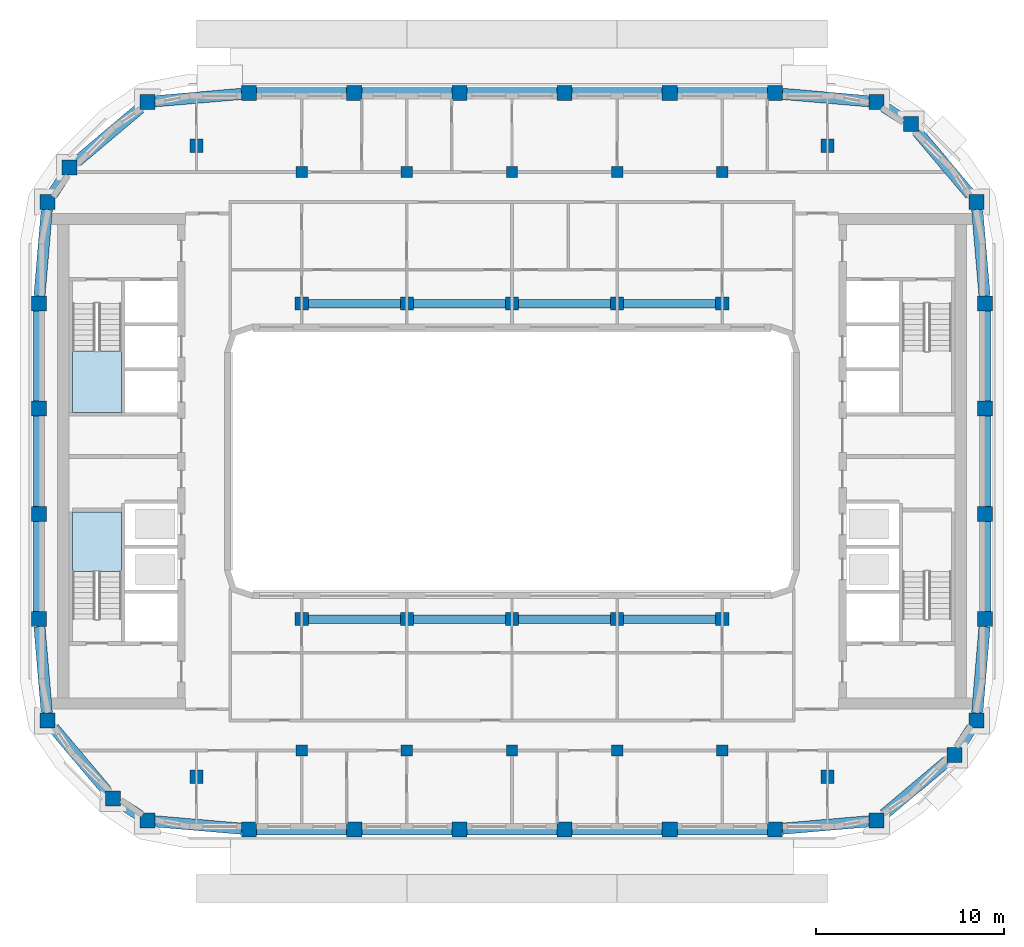
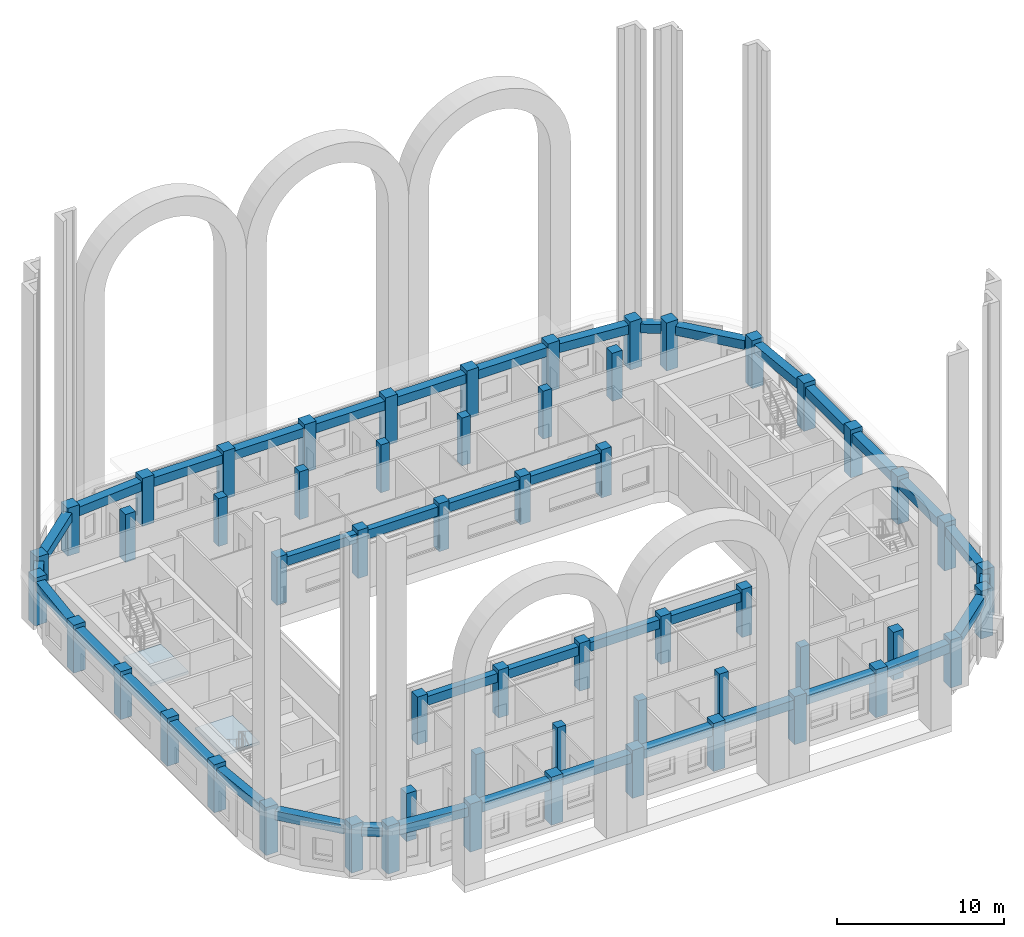
# One storey, part 1 of 19: 56 columns, 40 beams, 2 slabs, 2 elements without a shape of their own.
"""IFC4 building model written with IfcOpenShell, lengths in metres."""

from ifc_helpers import new_model, si_unit, direction, frame, origin, origin_2d, place, context, subcontext, project, spatial, polyline, rectangle, outline, extrude, material, layer, layer_set, material_profile, profile_set, type_object, element, aggregate, save


model = new_model("IFC4")

# Units and contexts
model_context = context("Model", 3, precision=1e-05, world=origin(), true_north=direction((0.0, 1.0)))
body_context = subcontext(model_context, "Body", "Model", "MODEL_VIEW")
ifc_project = project(units=[si_unit("LENGTHUNIT", "METRE"), si_unit("AREAUNIT", "SQUARE_METRE"), si_unit("VOLUMEUNIT", "CUBIC_METRE"), si_unit("PLANEANGLEUNIT", "RADIAN"), si_unit("MASSUNIT", "GRAM", prefix="KILO")], contexts=[model_context])

# Site, building, storey
site_placement = place(None, origin())
site = spatial("IfcSite", under=ifc_project, at=site_placement, CompositionType="ELEMENT")
building_placement = place(site_placement, origin())
building = spatial("IfcBuilding", under=site, at=building_placement, Name="Kiln Ring Residences", CompositionType="ELEMENT")
storey_placement = place(building_placement, frame((0.0, 0.0, 241.699951171875)))
storey = spatial("IfcBuildingStorey", under=building, at=storey_placement, Name="L62", CompositionType="ELEMENT", Elevation=241.699951171875)

# Columns
ifc_material_1 = material(Name="Concrete C60/75", Category="concrete")
ifc_material_profile_1 = material_profile(ifc_material_1, rectangle(XDim=0.60009765625, YDim=0.60009765625, at=origin_2d()), Name="RC600x600")
ifc_profile_set_1 = profile_set([ifc_material_profile_1], Name="Concrete C60/75")
column_type_1 = type_object("IfcColumnType", Name="Corridor column RC600x600 C60/75", PredefinedType="COLUMN", material=ifc_profile_set_1)
for number, where, z_axis, x_axis, name in (
    (1, (-11.199951171875, 15.39990234375, 0.0), (0.0, 0.0, 1.0), (1.0, 0.0, 0.0), "Corridor column L62 1"),
    (2, (-5.60009765625, 15.39990234375, 0.0), (0.0, 0.0, 1.0), (1.0, 0.0, 0.0), "Corridor column L62 2"),
    (3, (0.0, 15.39990234375, 0.0), (0.0, 0.0, 1.0), (1.0, 0.0, 0.0), "Corridor column L62 3"),
    (4, (5.60009765625, 15.39990234375, 0.0), (0.0, 0.0, 1.0), (1.0, 0.0, 0.0), "Corridor column L62 4"),
    (5, (11.199951171875, 15.39990234375, 0.0), (0.0, 0.0, 1.0), (1.0, 0.0, 0.0), "Corridor column L62 5"),
    (6, (-11.199951171875, -15.39990234375, 0.0), (0.0, 0.0, 1.0), (1.0, 0.0, 0.0), "Corridor column L62 6"),
    (7, (-5.60009765625, -15.39990234375, 0.0), (0.0, 0.0, 1.0), (1.0, 0.0, 0.0), "Corridor column L62 7"),
    (8, (0.0, -15.39990234375, 0.0), (0.0, 0.0, 1.0), (1.0, 0.0, 0.0), "Corridor column L62 8"),
    (9, (5.60009765625, -15.39990234375, 0.0), (0.0, 0.0, 1.0), (1.0, 0.0, 0.0), "Corridor column L62 9"),
    (10, (11.199951171875, -15.39990234375, 0.0), (0.0, 0.0, 1.0), (1.0, 0.0, 0.0), "Corridor column L62 10"),
):
    element("IfcColumn", number, at=place(storey_placement, frame(where, z_axis=z_axis, x_axis=x_axis)), inside=storey, type_object=column_type_1, Name=name, PredefinedType="COLUMN", context=body_context, shape_type="SweptSolid", body=[
        extrude(rectangle(XDim=0.60009765625, YDim=0.60009765625, at=origin_2d()), origin(), (0.0, 0.0, 1.0), 3.5),
    ])
ifc_material_2 = material(Name="Concrete C60/75", Category="concrete")
ifc_material_profile_2 = material_profile(ifc_material_2, rectangle(XDim=0.800048828125, YDim=0.800048828125, at=origin_2d()), Name="RC800x800")
ifc_profile_set_2 = profile_set([ifc_material_profile_2], Name="Concrete C60/75")
column_type_2 = type_object("IfcColumnType", Name="Perimeter column RC800x800 C60/75", PredefinedType="COLUMN", material=ifc_profile_set_2)
for number, where, z_axis, x_axis, name in (
    (11, (-19.40869140625, -19.13818359375, 0.0), (0.0, 0.0, 1.0), (1.0, 0.0, 0.0), "Perimeter column L62 1"),
    (12, (-14.0, -19.60009765625, 0.0), (0.0, 0.0, 1.0), (1.0, 0.0, 0.0), "Perimeter column L62 2"),
    (13, (-8.39990234375, -19.60009765625, 0.0), (0.0, 0.0, 1.0), (1.0, 0.0, 0.0), "Perimeter column L62 3"),
    (14, (-2.800048828125, -19.60009765625, 0.0), (0.0, 0.0, 1.0), (1.0, 0.0, 0.0), "Perimeter column L62 4"),
    (15, (2.800048828125, -19.60009765625, 0.0), (0.0, 0.0, 1.0), (1.0, 0.0, 0.0), "Perimeter column L62 5"),
    (16, (8.39990234375, -19.60009765625, 0.0), (0.0, 0.0, 1.0), (1.0, 0.0, 0.0), "Perimeter column L62 6"),
    (17, (14.0, -19.60009765625, 0.0), (0.0, 0.0, 1.0), (1.0, 0.0, 0.0), "Perimeter column L62 7"),
    (18, (19.40869140625, -19.13818359375, 0.0), (0.0, 0.0, 1.0), (1.0, 0.0, 0.0), "Perimeter column L62 8"),
    (19, (23.559814453125, -15.64013671875, 0.0), (0.0, 0.0, 1.0), (1.0, 0.0, 0.0), "Perimeter column L62 9"),
    (20, (24.738037109375, -13.80859375, 0.0), (0.0, 0.0, 1.0), (1.0, 0.0, 0.0), "Perimeter column L62 10"),
    (21, (25.199951171875, -8.39990234375, 0.0), (0.0, 0.0, 1.0), (1.0, 0.0, 0.0), "Perimeter column L62 11"),
    (22, (25.199951171875, -2.800048828125, 0.0), (0.0, 0.0, 1.0), (1.0, 0.0, 0.0), "Perimeter column L62 12"),
    (23, (25.199951171875, 2.800048828125, 0.0), (0.0, 0.0, 1.0), (1.0, 0.0, 0.0), "Perimeter column L62 13"),
    (24, (25.199951171875, 8.39990234375, 0.0), (0.0, 0.0, 1.0), (1.0, 0.0, 0.0), "Perimeter column L62 14"),
    (25, (24.738037109375, 13.80859375, 0.0), (0.0, 0.0, 1.0), (1.0, 0.0, 0.0), "Perimeter column L62 15"),
    (26, (21.240234375, 17.959716796875, 0.0), (0.0, 0.0, 1.0), (1.0, 0.0, 0.0), "Perimeter column L62 16"),
    (27, (19.40869140625, 19.13818359375, 0.0), (0.0, 0.0, 1.0), (1.0, 0.0, 0.0), "Perimeter column L62 17"),
    (28, (14.0, 19.60009765625, 0.0), (0.0, 0.0, 1.0), (1.0, 0.0, 0.0), "Perimeter column L62 18"),
    (29, (8.39990234375, 19.60009765625, 0.0), (0.0, 0.0, 1.0), (1.0, 0.0, 0.0), "Perimeter column L62 19"),
    (30, (2.800048828125, 19.60009765625, 0.0), (0.0, 0.0, 1.0), (1.0, 0.0, 0.0), "Perimeter column L62 20"),
    (31, (-2.800048828125, 19.60009765625, 0.0), (0.0, 0.0, 1.0), (1.0, 0.0, 0.0), "Perimeter column L62 21"),
    (32, (-8.39990234375, 19.60009765625, 0.0), (0.0, 0.0, 1.0), (1.0, 0.0, 0.0), "Perimeter column L62 22"),
    (33, (-14.0, 19.60009765625, 0.0), (0.0, 0.0, 1.0), (1.0, 0.0, 0.0), "Perimeter column L62 23"),
    (34, (-19.40869140625, 19.13818359375, 0.0), (0.0, 0.0, 1.0), (1.0, 0.0, 0.0), "Perimeter column L62 24"),
    (35, (-23.559814453125, 15.64013671875, 0.0), (0.0, 0.0, 1.0), (1.0, 0.0, 0.0), "Perimeter column L62 25"),
    (36, (-24.738037109375, 13.80859375, 0.0), (0.0, 0.0, 1.0), (1.0, 0.0, 0.0), "Perimeter column L62 26"),
    (37, (-25.199951171875, 8.39990234375, 0.0), (0.0, 0.0, 1.0), (1.0, 0.0, 0.0), "Perimeter column L62 27"),
    (38, (-25.199951171875, 2.800048828125, 0.0), (0.0, 0.0, 1.0), (1.0, 0.0, 0.0), "Perimeter column L62 28"),
    (39, (-25.199951171875, -2.800048828125, 0.0), (0.0, 0.0, 1.0), (1.0, 0.0, 0.0), "Perimeter column L62 29"),
    (40, (-25.199951171875, -8.39990234375, 0.0), (0.0, 0.0, 1.0), (1.0, 0.0, 0.0), "Perimeter column L62 30"),
    (41, (-24.738037109375, -13.80859375, 0.0), (0.0, 0.0, 1.0), (1.0, 0.0, 0.0), "Perimeter column L62 31"),
    (42, (-21.240234375, -17.959716796875, 0.0), (0.0, 0.0, 1.0), (1.0, 0.0, 0.0), "Perimeter column L62 32"),
):
    element("IfcColumn", number, at=place(storey_placement, frame(where, z_axis=z_axis, x_axis=x_axis)), inside=storey, type_object=column_type_2, Name=name, PredefinedType="COLUMN", context=body_context, shape_type="SweptSolid", body=[
        extrude(rectangle(XDim=0.800048828125, YDim=0.800048828125, at=origin_2d()), origin(), (0.0, 0.0, 1.0), 3.5),
    ])
ifc_material_3 = material(Name="Concrete C60/75", Category="concrete")
ifc_material_profile_3 = material_profile(ifc_material_3, rectangle(XDim=0.699951171875, YDim=0.699951171875, at=origin_2d()), Name="RC700x700")
ifc_profile_set_3 = profile_set([ifc_material_profile_3], Name="Concrete C60/75")
column_type_3 = type_object("IfcColumnType", Name="Ring column RC700x700 C60/75", PredefinedType="COLUMN", material=ifc_profile_set_3)
for number, where, z_axis, x_axis, name in (
    (43, (-16.800048828125, -16.800048828125, 0.0), (0.0, 0.0, 1.0), (1.0, 0.0, 0.0), "Ring column L62 1"),
    (44, (-16.800048828125, 16.800048828125, 0.0), (0.0, 0.0, 1.0), (1.0, 0.0, 0.0), "Ring column L62 2"),
    (45, (-11.199951171875, -8.39990234375, 0.0), (0.0, 0.0, 1.0), (1.0, 0.0, 0.0), "Ring column L62 3"),
    (46, (-11.199951171875, 8.39990234375, 0.0), (0.0, 0.0, 1.0), (1.0, 0.0, 0.0), "Ring column L62 4"),
    (47, (-5.60009765625, -8.39990234375, 0.0), (0.0, 0.0, 1.0), (1.0, 0.0, 0.0), "Ring column L62 5"),
    (48, (-5.60009765625, 8.39990234375, 0.0), (0.0, 0.0, 1.0), (1.0, 0.0, 0.0), "Ring column L62 6"),
    (49, (0.0, -8.39990234375, 0.0), (0.0, 0.0, 1.0), (1.0, 0.0, 0.0), "Ring column L62 7"),
    (50, (0.0, 8.39990234375, 0.0), (0.0, 0.0, 1.0), (1.0, 0.0, 0.0), "Ring column L62 8"),
    (51, (5.60009765625, -8.39990234375, 0.0), (0.0, 0.0, 1.0), (1.0, 0.0, 0.0), "Ring column L62 9"),
    (52, (5.60009765625, 8.39990234375, 0.0), (0.0, 0.0, 1.0), (1.0, 0.0, 0.0), "Ring column L62 10"),
    (53, (11.199951171875, -8.39990234375, 0.0), (0.0, 0.0, 1.0), (1.0, 0.0, 0.0), "Ring column L62 11"),
    (54, (11.199951171875, 8.39990234375, 0.0), (0.0, 0.0, 1.0), (1.0, 0.0, 0.0), "Ring column L62 12"),
    (55, (16.800048828125, -16.800048828125, 0.0), (0.0, 0.0, 1.0), (1.0, 0.0, 0.0), "Ring column L62 13"),
    (56, (16.800048828125, 16.800048828125, 0.0), (0.0, 0.0, 1.0), (1.0, 0.0, 0.0), "Ring column L62 14"),
):
    element("IfcColumn", number, at=place(storey_placement, frame(where, z_axis=z_axis, x_axis=x_axis)), inside=storey, type_object=column_type_3, Name=name, PredefinedType="COLUMN", context=body_context, shape_type="SweptSolid", body=[
        extrude(rectangle(XDim=0.699951171875, YDim=0.699951171875, at=origin_2d()), origin(), (0.0, 0.0, 1.0), 3.5),
    ])

# Beams
ifc_material_4 = material(Name="Concrete C50/60", Category="concrete")
ifc_material_profile_4 = material_profile(ifc_material_4, rectangle(XDim=0.449951171875, YDim=0.64990234375, at=origin_2d()), Name="RC450x650")
ifc_profile_set_4 = profile_set([ifc_material_profile_4], Name="Concrete C50/60")
beam_type_1 = type_object("IfcBeamType", Name="Ring beam RC450x650 C50/60", PredefinedType="BEAM", material=ifc_profile_set_4)
beam_1_placement = place(storey_placement, frame((-10.85009765625, -8.39990234375, 2.875), z_axis=(1.0, 0.0, 0.0), x_axis=(0.0, 1.0, 0.0)))
element("IfcBeam", 57, at=beam_1_placement, inside=storey, type_object=beam_type_1, Name="Ring beam L62 1", PredefinedType="BEAM", context=body_context, shape_type="SweptSolid", body=[
    extrude(rectangle(XDim=0.449951171875, YDim=0.64990234375, at=origin_2d()), origin(), (0.0, 0.0, 1.0), 4.900146484375),
])
for number, where, z_axis, x_axis, name in (
    (58, (-5.25, -8.39990234375, 2.875), (1.0, 0.0, 0.0), (0.0, 1.0, 0.0), "Ring beam L62 2"),
    (59, (0.35009765625, -8.39990234375, 2.875), (1.0, 0.0, 0.0), (0.0, 1.0, 0.0), "Ring beam L62 3"),
):
    element("IfcBeam", number, at=place(storey_placement, frame(where, z_axis=z_axis, x_axis=x_axis)), inside=storey, type_object=beam_type_1, Name=name, PredefinedType="BEAM", context=body_context, shape_type="SweptSolid", body=[
        extrude(rectangle(XDim=0.449951171875, YDim=0.64990234375, at=origin_2d()), origin(), (0.0, 0.0, 1.0), 4.89990234375),
    ])
for number, where, z_axis, x_axis, name in (
    (60, (5.949951171875, -8.39990234375, 2.875), (1.0, 0.0, 0.0), (0.0, 1.0, 0.0), "Ring beam L62 4"),
    (61, (-10.85009765625, 8.39990234375, 2.875), (1.0, 0.0, 0.0), (0.0, 1.0, 0.0), "Ring beam L62 5"),
):
    element("IfcBeam", number, at=place(storey_placement, frame(where, z_axis=z_axis, x_axis=x_axis)), inside=storey, type_object=beam_type_1, Name=name, PredefinedType="BEAM", context=body_context, shape_type="SweptSolid", body=[
        extrude(rectangle(XDim=0.449951171875, YDim=0.64990234375, at=origin_2d()), origin(), (0.0, 0.0, 1.0), 4.900146484375),
    ])
for number, where, z_axis, x_axis, name in (
    (62, (-5.25, 8.39990234375, 2.875), (1.0, 0.0, 0.0), (0.0, 1.0, 0.0), "Ring beam L62 6"),
    (63, (0.35009765625, 8.39990234375, 2.875), (1.0, 0.0, 0.0), (0.0, 1.0, 0.0), "Ring beam L62 7"),
):
    element("IfcBeam", number, at=place(storey_placement, frame(where, z_axis=z_axis, x_axis=x_axis)), inside=storey, type_object=beam_type_1, Name=name, PredefinedType="BEAM", context=body_context, shape_type="SweptSolid", body=[
        extrude(rectangle(XDim=0.449951171875, YDim=0.64990234375, at=origin_2d()), origin(), (0.0, 0.0, 1.0), 4.89990234375),
    ])
beam_2_placement = place(storey_placement, frame((5.949951171875, 8.39990234375, 2.875), z_axis=(1.0, 0.0, 0.0), x_axis=(0.0, 1.0, 0.0)))
element("IfcBeam", 64, at=beam_2_placement, inside=storey, type_object=beam_type_1, Name="Ring beam L62 8", PredefinedType="BEAM", context=body_context, shape_type="SweptSolid", body=[
    extrude(rectangle(XDim=0.449951171875, YDim=0.64990234375, at=origin_2d()), origin(), (0.0, 0.0, 1.0), 4.900146484375),
])
ifc_material_5 = material(Name="Concrete C50/60", Category="concrete")
ifc_material_profile_5 = material_profile(ifc_material_5, rectangle(XDim=0.60009765625, YDim=0.64990234375, at=origin_2d()), Name="RC600x650")
ifc_profile_set_5 = profile_set([ifc_material_profile_5], Name="Concrete C50/60")
beam_type_2 = type_object("IfcBeamType", Name="Spandrel beam RC600x650 C50/60", PredefinedType="SPANDREL", material=ifc_profile_set_5)
beam_3_placement = place(storey_placement, frame((-19.0087890625, -19.17236328125, 2.875), z_axis=(0.996374056639, -0.085080780766, 0.0), x_axis=(0.085080780766, 0.996374056639, 0.0)))
element("IfcBeam", 65, at=beam_3_placement, inside=storey, type_object=beam_type_2, Name="Spandrel beam L62 1", PredefinedType="SPANDREL", context=body_context, shape_type="SweptSolid", body=[
    extrude(rectangle(XDim=0.60009765625, YDim=0.64990234375, at=origin_2d()), origin(), (0.0, 0.0, 1.0), 4.625732421875),
])
for number, where, z_axis, x_axis, name in (
    (66, (-13.60009765625, -19.60009765625, 2.875), (1.0, 0.0, 0.0), (0.0, 1.0, 0.0), "Spandrel beam L62 2"),
    (67, (-8.0, -19.60009765625, 2.875), (1.0, 0.0, 0.0), (0.0, 1.0, 0.0), "Spandrel beam L62 3"),
):
    element("IfcBeam", number, at=place(storey_placement, frame(where, z_axis=z_axis, x_axis=x_axis)), inside=storey, type_object=beam_type_2, Name=name, PredefinedType="SPANDREL", context=body_context, shape_type="SweptSolid", body=[
        extrude(rectangle(XDim=0.60009765625, YDim=0.64990234375, at=origin_2d()), origin(), (0.0, 0.0, 1.0), 4.800048828125),
    ])
beam_4_placement = place(storey_placement, frame((-2.39990234375, -19.60009765625, 2.875), z_axis=(1.0, 0.0, 0.0), x_axis=(0.0, 1.0, 0.0)))
element("IfcBeam", 68, at=beam_4_placement, inside=storey, type_object=beam_type_2, Name="Spandrel beam L62 4", PredefinedType="SPANDREL", context=body_context, shape_type="SweptSolid", body=[
    extrude(rectangle(XDim=0.60009765625, YDim=0.64990234375, at=origin_2d()), origin(), (0.0, 0.0, 1.0), 4.7998046875),
])
for number, where, z_axis, x_axis, name in (
    (69, (3.199951171875, -19.60009765625, 2.875), (1.0, 0.0, 0.0), (0.0, 1.0, 0.0), "Spandrel beam L62 5"),
    (70, (8.800048828125, -19.60009765625, 2.875), (1.0, 0.0, 0.0), (0.0, 1.0, 0.0), "Spandrel beam L62 6"),
):
    element("IfcBeam", number, at=place(storey_placement, frame(where, z_axis=z_axis, x_axis=x_axis)), inside=storey, type_object=beam_type_2, Name=name, PredefinedType="SPANDREL", context=body_context, shape_type="SweptSolid", body=[
        extrude(rectangle(XDim=0.60009765625, YDim=0.64990234375, at=origin_2d()), origin(), (0.0, 0.0, 1.0), 4.800048828125),
    ])
beam_5_placement = place(storey_placement, frame((14.39990234375, -19.56591796875, 2.875), z_axis=(0.996374056639, 0.085080780766, 0.0), x_axis=(-0.085080780766, 0.996374056639, 0.0)))
element("IfcBeam", 71, at=beam_5_placement, inside=storey, type_object=beam_type_2, Name="Spandrel beam L62 7", PredefinedType="SPANDREL", context=body_context, shape_type="SweptSolid", body=[
    extrude(rectangle(XDim=0.60009765625, YDim=0.64990234375, at=origin_2d()), origin(), (0.0, 0.0, 1.0), 4.625732421875),
])
beam_6_placement = place(storey_placement, frame((19.80859375, -18.801025390625, 2.875), z_axis=(0.764734919154, 0.644345018936, 0.0), x_axis=(-0.644345018936, 0.764734919154, 0.0)))
element("IfcBeam", 72, at=beam_6_placement, inside=storey, type_object=beam_type_2, Name="Spandrel beam L62 8", PredefinedType="SPANDREL", context=body_context, shape_type="SweptSolid", body=[
    extrude(rectangle(XDim=0.60009765625, YDim=0.64990234375, at=origin_2d()), origin(), (0.0, 0.0, 1.0), 4.38232421875),
])
beam_7_placement = place(storey_placement, frame((23.817138671875, -15.240234375, 2.875), z_axis=(0.541029196589, 0.841003810002, 0.0), x_axis=(-0.841003810002, 0.541029196589, 0.0)))
element("IfcBeam", 73, at=beam_7_placement, inside=storey, type_object=beam_type_2, Name="Spandrel beam L62 9", PredefinedType="SPANDREL", context=body_context, shape_type="SweptSolid", body=[
    extrude(rectangle(XDim=0.60009765625, YDim=0.64990234375, at=origin_2d()), origin(), (0.0, 0.0, 1.0), 1.2265625),
])
beam_8_placement = place(storey_placement, frame((24.772216796875, -13.40869140625, 2.875), z_axis=(0.085085255251, 0.996373674551, 0.0), x_axis=(-0.996373674551, 0.085085255251, 0.0)))
element("IfcBeam", 74, at=beam_8_placement, inside=storey, type_object=beam_type_2, Name="Spandrel beam L62 10", PredefinedType="SPANDREL", context=body_context, shape_type="SweptSolid", body=[
    extrude(rectangle(XDim=0.60009765625, YDim=0.64990234375, at=origin_2d()), origin(), (0.0, 0.0, 1.0), 4.62548828125),
])
beam_9_placement = place(storey_placement, frame((25.199951171875, -8.0, 2.875), z_axis=(0.0, 1.0, 0.0), x_axis=(-1.0, 0.0, 0.0)))
element("IfcBeam", 75, at=beam_9_placement, inside=storey, type_object=beam_type_2, Name="Spandrel beam L62 11", PredefinedType="SPANDREL", context=body_context, shape_type="SweptSolid", body=[
    extrude(rectangle(XDim=0.60009765625, YDim=0.64990234375, at=origin_2d()), origin(), (0.0, 0.0, 1.0), 4.800048828125),
])
beam_10_placement = place(storey_placement, frame((25.199951171875, -2.39990234375, 2.875), z_axis=(0.0, 1.0, 0.0), x_axis=(-1.0, 0.0, 0.0)))
element("IfcBeam", 76, at=beam_10_placement, inside=storey, type_object=beam_type_2, Name="Spandrel beam L62 12", PredefinedType="SPANDREL", context=body_context, shape_type="SweptSolid", body=[
    extrude(rectangle(XDim=0.60009765625, YDim=0.64990234375, at=origin_2d()), origin(), (0.0, 0.0, 1.0), 4.7998046875),
])
beam_11_placement = place(storey_placement, frame((25.199951171875, 3.199951171875, 2.875), z_axis=(0.0, 1.0, 0.0), x_axis=(-1.0, 0.0, 0.0)))
element("IfcBeam", 77, at=beam_11_placement, inside=storey, type_object=beam_type_2, Name="Spandrel beam L62 13", PredefinedType="SPANDREL", context=body_context, shape_type="SweptSolid", body=[
    extrude(rectangle(XDim=0.60009765625, YDim=0.64990234375, at=origin_2d()), origin(), (0.0, 0.0, 1.0), 4.800048828125),
])
beam_12_placement = place(storey_placement, frame((25.165771484375, 8.800048828125, 2.875), z_axis=(-0.085085255251, 0.996373674551, 0.0), x_axis=(-0.996373674551, -0.085085255251, 0.0)))
element("IfcBeam", 78, at=beam_12_placement, inside=storey, type_object=beam_type_2, Name="Spandrel beam L62 14", PredefinedType="SPANDREL", context=body_context, shape_type="SweptSolid", body=[
    extrude(rectangle(XDim=0.60009765625, YDim=0.64990234375, at=origin_2d()), origin(), (0.0, 0.0, 1.0), 4.62548828125),
])
beam_13_placement = place(storey_placement, frame((24.401123046875, 14.208740234375, 2.875), z_axis=(-0.644405049218, 0.764684335227, 0.0), x_axis=(-0.764684335227, -0.644405049218, 0.0)))
element("IfcBeam", 79, at=beam_13_placement, inside=storey, type_object=beam_type_2, Name="Spandrel beam L62 15", PredefinedType="SPANDREL", context=body_context, shape_type="SweptSolid", body=[
    extrude(rectangle(XDim=0.60009765625, YDim=0.64990234375, at=origin_2d()), origin(), (0.0, 0.0, 1.0), 4.38232421875),
])
beam_14_placement = place(storey_placement, frame((20.840087890625, 18.217041015625, 2.875), z_axis=(-0.840913236818, 0.541169962345, 0.0), x_axis=(-0.541169962345, -0.840913236818, 0.0)))
element("IfcBeam", 80, at=beam_14_placement, inside=storey, type_object=beam_type_2, Name="Spandrel beam L62 16", PredefinedType="SPANDREL", context=body_context, shape_type="SweptSolid", body=[
    extrude(rectangle(XDim=0.60009765625, YDim=0.64990234375, at=origin_2d()), origin(), (0.0, 0.0, 1.0), 1.2265625),
])
beam_15_placement = place(storey_placement, frame((19.0087890625, 19.17236328125, 2.875), z_axis=(-0.996374056639, 0.085080780766, 0.0), x_axis=(-0.085080780766, -0.996374056639, 0.0)))
element("IfcBeam", 81, at=beam_15_placement, inside=storey, type_object=beam_type_2, Name="Spandrel beam L62 17", PredefinedType="SPANDREL", context=body_context, shape_type="SweptSolid", body=[
    extrude(rectangle(XDim=0.60009765625, YDim=0.64990234375, at=origin_2d()), origin(), (0.0, 0.0, 1.0), 4.625732421875),
])
for number, where, z_axis, x_axis, name in (
    (82, (13.60009765625, 19.60009765625, 2.875), (-1.0, 0.0, 0.0), (0.0, -1.0, 0.0), "Spandrel beam L62 18"),
    (83, (8.0, 19.60009765625, 2.875), (-1.0, 0.0, 0.0), (0.0, -1.0, 0.0), "Spandrel beam L62 19"),
):
    element("IfcBeam", number, at=place(storey_placement, frame(where, z_axis=z_axis, x_axis=x_axis)), inside=storey, type_object=beam_type_2, Name=name, PredefinedType="SPANDREL", context=body_context, shape_type="SweptSolid", body=[
        extrude(rectangle(XDim=0.60009765625, YDim=0.64990234375, at=origin_2d()), origin(), (0.0, 0.0, 1.0), 4.800048828125),
    ])
beam_16_placement = place(storey_placement, frame((2.39990234375, 19.60009765625, 2.875), z_axis=(-1.0, 0.0, 0.0), x_axis=(0.0, -1.0, 0.0)))
element("IfcBeam", 84, at=beam_16_placement, inside=storey, type_object=beam_type_2, Name="Spandrel beam L62 20", PredefinedType="SPANDREL", context=body_context, shape_type="SweptSolid", body=[
    extrude(rectangle(XDim=0.60009765625, YDim=0.64990234375, at=origin_2d()), origin(), (0.0, 0.0, 1.0), 4.7998046875),
])
for number, where, z_axis, x_axis, name in (
    (85, (-3.199951171875, 19.60009765625, 2.875), (-1.0, 0.0, 0.0), (0.0, -1.0, 0.0), "Spandrel beam L62 21"),
    (86, (-8.800048828125, 19.60009765625, 2.875), (-1.0, 0.0, 0.0), (0.0, -1.0, 0.0), "Spandrel beam L62 22"),
):
    element("IfcBeam", number, at=place(storey_placement, frame(where, z_axis=z_axis, x_axis=x_axis)), inside=storey, type_object=beam_type_2, Name=name, PredefinedType="SPANDREL", context=body_context, shape_type="SweptSolid", body=[
        extrude(rectangle(XDim=0.60009765625, YDim=0.64990234375, at=origin_2d()), origin(), (0.0, 0.0, 1.0), 4.800048828125),
    ])
beam_17_placement = place(storey_placement, frame((-14.39990234375, 19.56591796875, 2.875), z_axis=(-0.996374056639, -0.085080780766, 0.0), x_axis=(0.085080780766, -0.996374056639, 0.0)))
element("IfcBeam", 87, at=beam_17_placement, inside=storey, type_object=beam_type_2, Name="Spandrel beam L62 23", PredefinedType="SPANDREL", context=body_context, shape_type="SweptSolid", body=[
    extrude(rectangle(XDim=0.60009765625, YDim=0.64990234375, at=origin_2d()), origin(), (0.0, 0.0, 1.0), 4.625732421875),
])
beam_18_placement = place(storey_placement, frame((-19.80859375, 18.801025390625, 2.875), z_axis=(-0.764734919154, -0.644345018936, 0.0), x_axis=(0.644345018936, -0.764734919154, 0.0)))
element("IfcBeam", 88, at=beam_18_placement, inside=storey, type_object=beam_type_2, Name="Spandrel beam L62 24", PredefinedType="SPANDREL", context=body_context, shape_type="SweptSolid", body=[
    extrude(rectangle(XDim=0.60009765625, YDim=0.64990234375, at=origin_2d()), origin(), (0.0, 0.0, 1.0), 4.38232421875),
])
beam_19_placement = place(storey_placement, frame((-23.817138671875, 15.240234375, 2.875), z_axis=(-0.541029196589, -0.841003810002, 0.0), x_axis=(0.841003810002, -0.541029196589, 0.0)))
element("IfcBeam", 89, at=beam_19_placement, inside=storey, type_object=beam_type_2, Name="Spandrel beam L62 25", PredefinedType="SPANDREL", context=body_context, shape_type="SweptSolid", body=[
    extrude(rectangle(XDim=0.60009765625, YDim=0.64990234375, at=origin_2d()), origin(), (0.0, 0.0, 1.0), 1.2265625),
])
beam_20_placement = place(storey_placement, frame((-24.772216796875, 13.40869140625, 2.875), z_axis=(-0.085085255251, -0.996373674551, 0.0), x_axis=(0.996373674551, -0.085085255251, 0.0)))
element("IfcBeam", 90, at=beam_20_placement, inside=storey, type_object=beam_type_2, Name="Spandrel beam L62 26", PredefinedType="SPANDREL", context=body_context, shape_type="SweptSolid", body=[
    extrude(rectangle(XDim=0.60009765625, YDim=0.64990234375, at=origin_2d()), origin(), (0.0, 0.0, 1.0), 4.62548828125),
])
beam_21_placement = place(storey_placement, frame((-25.199951171875, 8.0, 2.875), z_axis=(0.0, -1.0, 0.0), x_axis=(1.0, 0.0, 0.0)))
element("IfcBeam", 91, at=beam_21_placement, inside=storey, type_object=beam_type_2, Name="Spandrel beam L62 27", PredefinedType="SPANDREL", context=body_context, shape_type="SweptSolid", body=[
    extrude(rectangle(XDim=0.60009765625, YDim=0.64990234375, at=origin_2d()), origin(), (0.0, 0.0, 1.0), 4.800048828125),
])
beam_22_placement = place(storey_placement, frame((-25.199951171875, 2.39990234375, 2.875), z_axis=(0.0, -1.0, 0.0), x_axis=(1.0, 0.0, 0.0)))
element("IfcBeam", 92, at=beam_22_placement, inside=storey, type_object=beam_type_2, Name="Spandrel beam L62 28", PredefinedType="SPANDREL", context=body_context, shape_type="SweptSolid", body=[
    extrude(rectangle(XDim=0.60009765625, YDim=0.64990234375, at=origin_2d()), origin(), (0.0, 0.0, 1.0), 4.7998046875),
])
beam_23_placement = place(storey_placement, frame((-25.199951171875, -3.199951171875, 2.875), z_axis=(0.0, -1.0, 0.0), x_axis=(1.0, 0.0, 0.0)))
element("IfcBeam", 93, at=beam_23_placement, inside=storey, type_object=beam_type_2, Name="Spandrel beam L62 29", PredefinedType="SPANDREL", context=body_context, shape_type="SweptSolid", body=[
    extrude(rectangle(XDim=0.60009765625, YDim=0.64990234375, at=origin_2d()), origin(), (0.0, 0.0, 1.0), 4.800048828125),
])
beam_24_placement = place(storey_placement, frame((-25.165771484375, -8.800048828125, 2.875), z_axis=(0.085085255251, -0.996373674551, 0.0), x_axis=(0.996373674551, 0.085085255251, 0.0)))
element("IfcBeam", 94, at=beam_24_placement, inside=storey, type_object=beam_type_2, Name="Spandrel beam L62 30", PredefinedType="SPANDREL", context=body_context, shape_type="SweptSolid", body=[
    extrude(rectangle(XDim=0.60009765625, YDim=0.64990234375, at=origin_2d()), origin(), (0.0, 0.0, 1.0), 4.62548828125),
])
beam_25_placement = place(storey_placement, frame((-24.401123046875, -14.208740234375, 2.875), z_axis=(0.644405049218, -0.764684335227, 0.0), x_axis=(0.764684335227, 0.644405049218, 0.0)))
element("IfcBeam", 95, at=beam_25_placement, inside=storey, type_object=beam_type_2, Name="Spandrel beam L62 31", PredefinedType="SPANDREL", context=body_context, shape_type="SweptSolid", body=[
    extrude(rectangle(XDim=0.60009765625, YDim=0.64990234375, at=origin_2d()), origin(), (0.0, 0.0, 1.0), 4.38232421875),
])
beam_26_placement = place(storey_placement, frame((-20.840087890625, -18.217041015625, 2.875), z_axis=(0.840913236818, -0.541169962345, 0.0), x_axis=(0.541169962345, 0.840913236818, 0.0)))
element("IfcBeam", 96, at=beam_26_placement, inside=storey, type_object=beam_type_2, Name="Spandrel beam L62 32", PredefinedType="SPANDREL", context=body_context, shape_type="SweptSolid", body=[
    extrude(rectangle(XDim=0.60009765625, YDim=0.64990234375, at=origin_2d()), origin(), (0.0, 0.0, 1.0), 1.2265625),
])

# Stair, slab
ifc_material_6 = material(Name="Concrete C40/50", Category="concrete")
stair_type = type_object("IfcStairType", Name="CORE-STAIR", PredefinedType="HALF_TURN_STAIR", material=ifc_material_6)
placement_1 = place(storey_placement, origin())
stair_1 = element("IfcStair", 97, at=placement_1, inside=storey, type_object=stair_type, Name="L62 stair W-STN", PredefinedType="HALF_TURN_STAIR")
ifc_material_7 = material(Name="Concrete C40/50", Category="concrete")
ifc_layer = layer(ifc_material_7, 0.199951171875)
ifc_layer_set = layer_set([ifc_layer], Name="CORE-STAIR-LANDING")
slab_type = type_object("IfcSlabType", Name="CORE-STAIR-LANDING", PredefinedType="LANDING", material=ifc_layer_set)
placement_2 = place(storey_placement, frame((0.0, 0.0, 1.550048828125)))
slab_1 = element("IfcSlab", 98, at=placement_2, type_object=slab_type, Name="W-STN landing 1", PredefinedType="LANDING", context=body_context, shape_type="SweptSolid", body=[
    extrude(outline(polyline([(-23.39990234375, 5.8798828125), (-23.39990234375, 2.60009765625), (-20.800048828125, 2.60009765625), (-20.800048828125, 5.8798828125), (-23.39990234375, 5.8798828125)])), origin(), (0.0, 0.0, 1.0), 0.199951171875),
])
aggregate(stair_1, [slab_1])

stair_2 = element("IfcStair", 99, at=placement_1, inside=storey, type_object=stair_type, Name="L62 stair W-STS", PredefinedType="HALF_TURN_STAIR")
slab_2 = element("IfcSlab", 100, at=placement_2, type_object=slab_type, Name="W-STS landing 1", PredefinedType="LANDING", context=body_context, shape_type="SweptSolid", body=[
    extrude(outline(polyline([(-20.800048828125, -5.8798828125), (-20.800048828125, -2.699951171875), (-23.39990234375, -2.699951171875), (-23.39990234375, -5.8798828125), (-20.800048828125, -5.8798828125)])), origin(), (0.0, 0.0, 1.0), 0.199951171875),
])
aggregate(stair_2, [slab_2])

save(model, "model.ifc")
